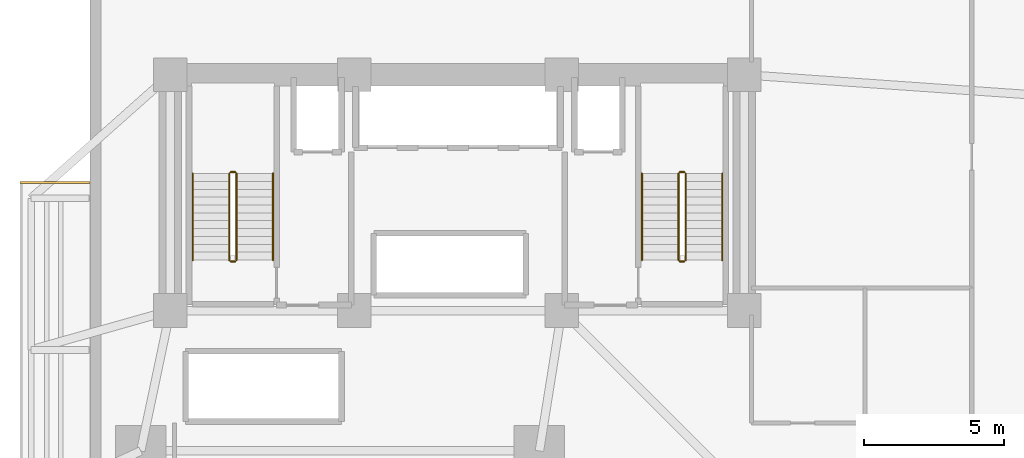
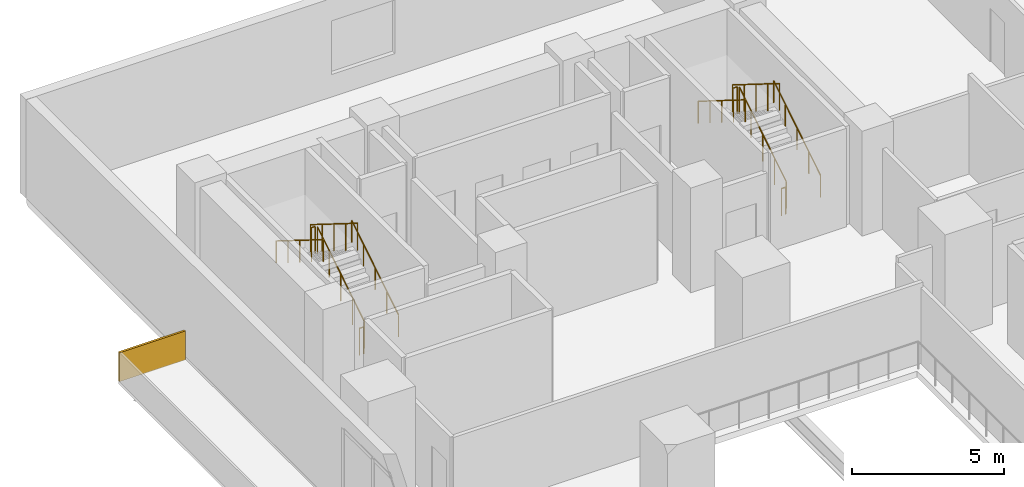
# One storey, part 12 of 13: 12 railings, 1 covering.
"""IFC4 building model written with IfcOpenShell, lengths in metres."""

from ifc_helpers import new_model, si_unit, direction, frame, origin, origin_2d, place, context, subcontext, project, spatial, rectangle, circle, extrude, material, layer, layer_set, type_object, element, save


model = new_model("IFC4")

# Units and contexts
model_context = context("Model", 3, precision=1e-05, world=origin(), true_north=direction((0.0, 1.0)))
body_context = subcontext(model_context, "Body", "Model", "MODEL_VIEW")
ifc_project = project(units=[si_unit("LENGTHUNIT", "METRE"), si_unit("AREAUNIT", "SQUARE_METRE"), si_unit("VOLUMEUNIT", "CUBIC_METRE"), si_unit("PLANEANGLEUNIT", "RADIAN"), si_unit("MASSUNIT", "GRAM", prefix="KILO")], contexts=[model_context])

# Site, building, storey
site_placement = place(None, origin())
site = spatial("IfcSite", under=ifc_project, at=site_placement, CompositionType="ELEMENT")
building_placement = place(site_placement, origin())
building = spatial("IfcBuilding", under=site, at=building_placement, Name="Kuzgunbayir Cultural Tower", CompositionType="ELEMENT")
storey_placement = place(building_placement, frame((0.0, 0.0, 4.60009765625)))
storey = spatial("IfcBuildingStorey", under=building, at=storey_placement, Name="L01", CompositionType="ELEMENT", Elevation=4.60009765625)

# Covering
ifc_material_1 = material(Name="Anatolian Cream Limestone", Category="masonry")
ifc_layer_1 = layer(ifc_material_1, 0.06005859375)
ifc_layer_set_1 = layer_set([ifc_layer_1], Name="Anatolian Cream Limestone")
covering_type = type_object("IfcCoveringType", Name="COV-CLAD-LIMESTONE-6", PredefinedType="CLADDING", material=ifc_layer_set_1)
covering_placement = place(storey_placement, frame((2.35009765625, 38.360107421875, -0.1201171875), z_axis=(0.0, 0.0, 1.0), x_axis=(1.0, 0.0, 0.0)))
element("IfcCovering", 1, at=covering_placement, inside=storey, type_object=covering_type, Name="L01 Colonnade Canopy North Coping Fascia", PredefinedType="CLADDING", context=body_context, shape_type="SweptSolid", body=[
    extrude(rectangle(XDim=2.5, YDim=0.080078125, at=origin_2d()), origin(), (0.0, 0.0, 1.0), 1.159912109375),
])

# Railings
ifc_material_2 = material(Name="Brushed Stainless Steel", Category="steel")
ifc_layer_2 = layer(ifc_material_2, 0.050048828125)
ifc_layer_set_2 = layer_set([ifc_layer_2], Name="Brushed Stainless Steel")
railing_type_1 = type_object("IfcRailingType", Name="RLG-STAIR-HANDRAIL", PredefinedType="HANDRAIL", material=ifc_layer_set_2)
railing_1_placement = place(storey_placement, frame((10.110107421875, 35.60009765625, 0.1748046875)))
element("IfcRailing", 2, at=railing_1_placement, inside=storey, type_object=railing_type_1, Name="L01 ST-1 stair handrail 1", PredefinedType="HANDRAIL", context=body_context, shape_type="SweptSolid", body=[
    extrude(circle(Radius=0.02392578125, at=origin_2d()), frame((0.0, 0.0, 0.8759765625), z_axis=(0.0, 0.847979421464, 0.530029150871), x_axis=(-1.0, 0.0, 0.0)), (0.0, 0.0, 1.0), 3.632080078125),
    extrude(circle(Radius=0.02099609375, at=origin_2d()), origin(), (0.0, 0.0, 1.0), 0.851806640625),
    extrude(circle(Radius=0.02099609375, at=origin_2d()), frame((0.0, 0.77001953125, 0.481201171875)), (0.0, 0.0, 1.0), 0.851806640625),
    extrude(circle(Radius=0.02099609375, at=origin_2d()), frame((0.0, 1.5400390625, 0.96240234375)), (0.0, 0.0, 1.0), 0.851806640625),
    extrude(circle(Radius=0.02099609375, at=origin_2d()), frame((0.0, 2.309814453125, 1.44384765625)), (0.0, 0.0, 1.0), 0.851806640625),
    extrude(circle(Radius=0.02099609375, at=origin_2d()), frame((0.0, 3.079833984375, 1.925048828125)), (0.0, 0.0, 1.0), 0.851806640625),
])
railing_2_placement = place(storey_placement, frame((7.25, 38.679931640625, 2.27490234375)))
element("IfcRailing", 3, at=railing_2_placement, inside=storey, type_object=railing_type_1, Name="L01 ST-1 stair handrail 2", PredefinedType="HANDRAIL", context=body_context, shape_type="SweptSolid", body=[
    extrude(circle(Radius=0.02392578125, at=origin_2d()), frame((0.0, 0.0, 0.8759765625), z_axis=(0.0, -0.847979421464, 0.530029150871), x_axis=(1.0, 0.0, 0.0)), (0.0, 0.0, 1.0), 3.632080078125),
    extrude(circle(Radius=0.02099609375, at=origin_2d()), origin(), (0.0, 0.0, 1.0), 0.851806640625),
    extrude(circle(Radius=0.02099609375, at=origin_2d()), frame((0.0, -0.77001953125, 0.481201171875)), (0.0, 0.0, 1.0), 0.851806640625),
    extrude(circle(Radius=0.02099609375, at=origin_2d()), frame((0.0, -1.5400390625, 0.96240234375)), (0.0, 0.0, 1.0), 0.851806640625),
    extrude(circle(Radius=0.02099609375, at=origin_2d()), frame((0.0, -2.309814453125, 1.44384765625)), (0.0, 0.0, 1.0), 0.851806640625),
    extrude(circle(Radius=0.02099609375, at=origin_2d()), frame((0.0, -3.079833984375, 1.925048828125)), (0.0, 0.0, 1.0), 0.851806640625),
])
railing_3_placement = place(storey_placement, frame((26.110107421875, 35.60009765625, 0.1748046875)))
element("IfcRailing", 4, at=railing_3_placement, inside=storey, type_object=railing_type_1, Name="L01 ST-2 stair handrail 1", PredefinedType="HANDRAIL", context=body_context, shape_type="SweptSolid", body=[
    extrude(circle(Radius=0.02392578125, at=origin_2d()), frame((0.0, 0.0, 0.8759765625), z_axis=(0.0, 0.847979421464, 0.530029150871), x_axis=(-1.0, 0.0, 0.0)), (0.0, 0.0, 1.0), 3.632080078125),
    extrude(circle(Radius=0.02099609375, at=origin_2d()), origin(), (0.0, 0.0, 1.0), 0.851806640625),
    extrude(circle(Radius=0.02099609375, at=origin_2d()), frame((0.0, 0.77001953125, 0.481201171875)), (0.0, 0.0, 1.0), 0.851806640625),
    extrude(circle(Radius=0.02099609375, at=origin_2d()), frame((0.0, 1.5400390625, 0.96240234375)), (0.0, 0.0, 1.0), 0.851806640625),
    extrude(circle(Radius=0.02099609375, at=origin_2d()), frame((0.0, 2.309814453125, 1.44384765625)), (0.0, 0.0, 1.0), 0.851806640625),
    extrude(circle(Radius=0.02099609375, at=origin_2d()), frame((0.0, 3.079833984375, 1.925048828125)), (0.0, 0.0, 1.0), 0.851806640625),
])
railing_4_placement = place(storey_placement, frame((23.25, 38.679931640625, 2.27490234375)))
element("IfcRailing", 5, at=railing_4_placement, inside=storey, type_object=railing_type_1, Name="L01 ST-2 stair handrail 2", PredefinedType="HANDRAIL", context=body_context, shape_type="SweptSolid", body=[
    extrude(circle(Radius=0.02392578125, at=origin_2d()), frame((0.0, 0.0, 0.8759765625), z_axis=(0.0, -0.847979421464, 0.530029150871), x_axis=(1.0, 0.0, 0.0)), (0.0, 0.0, 1.0), 3.632080078125),
    extrude(circle(Radius=0.02099609375, at=origin_2d()), origin(), (0.0, 0.0, 1.0), 0.851806640625),
    extrude(circle(Radius=0.02099609375, at=origin_2d()), frame((0.0, -0.77001953125, 0.481201171875)), (0.0, 0.0, 1.0), 0.851806640625),
    extrude(circle(Radius=0.02099609375, at=origin_2d()), frame((0.0, -1.5400390625, 0.96240234375)), (0.0, 0.0, 1.0), 0.851806640625),
    extrude(circle(Radius=0.02099609375, at=origin_2d()), frame((0.0, -2.309814453125, 1.44384765625)), (0.0, 0.0, 1.0), 0.851806640625),
    extrude(circle(Radius=0.02099609375, at=origin_2d()), frame((0.0, -3.079833984375, 1.925048828125)), (0.0, 0.0, 1.0), 0.851806640625),
])
ifc_material_3 = material(Name="Painted Steel Balustrade", Category="steel")
ifc_layer_3 = layer(ifc_material_3, 0.06005859375)
ifc_layer_set_3 = layer_set([ifc_layer_3], Name="Painted Steel Balustrade")
railing_type_2 = type_object("IfcRailingType", Name="RLG-WELL-GUARD", PredefinedType="GUARDRAIL", material=ifc_layer_set_3)
railing_5_placement = place(storey_placement, frame((8.81005859375, 35.60009765625, 0.1748046875)))
element("IfcRailing", 6, at=railing_5_placement, inside=storey, type_object=railing_type_2, Name="L01 ST-1 stair guard 1", PredefinedType="GUARDRAIL", context=body_context, shape_type="SweptSolid", body=[
    extrude(circle(Radius=0.02392578125, at=origin_2d()), frame((0.0, 0.0, 1.076171875), z_axis=(0.0, 0.847979421464, 0.530029150871), x_axis=(-1.0, 0.0, 0.0)), (0.0, 0.0, 1.0), 3.632080078125),
    extrude(circle(Radius=0.02099609375, at=origin_2d()), origin(), (0.0, 0.0, 1.0), 1.052001953125),
    extrude(circle(Radius=0.02099609375, at=origin_2d()), frame((0.0, 0.77001953125, 0.481201171875)), (0.0, 0.0, 1.0), 1.052001953125),
    extrude(circle(Radius=0.02099609375, at=origin_2d()), frame((0.0, 1.5400390625, 0.96240234375)), (0.0, 0.0, 1.0), 1.052001953125),
    extrude(circle(Radius=0.02099609375, at=origin_2d()), frame((0.0, 2.309814453125, 1.44384765625)), (0.0, 0.0, 1.0), 1.052001953125),
    extrude(circle(Radius=0.02099609375, at=origin_2d()), frame((0.0, 3.079833984375, 1.925048828125)), (0.0, 0.0, 1.0), 1.052001953125),
])
railing_6_placement = place(storey_placement, frame((8.760009765625, 38.72998046875, 2.099853515625)))
element("IfcRailing", 7, at=railing_6_placement, inside=storey, type_object=railing_type_2, Name="L01 ST-1 stair guard 2", PredefinedType="GUARDRAIL", context=body_context, shape_type="SweptSolid", body=[
    extrude(circle(Radius=0.02392578125, at=origin_2d()), frame((0.0, 0.0, 1.076171875), z_axis=(-1.0, 0.0, 0.0), x_axis=(0.0, -1.0, 0.0)), (0.0, 0.0, 1.0), 0.159912109375),
    extrude(circle(Radius=0.02099609375, at=origin_2d()), origin(), (0.0, 0.0, 1.0), 1.052001953125),
    extrude(circle(Radius=0.02099609375, at=origin_2d()), frame((-0.159912109375, 0.0, 0.0)), (0.0, 0.0, 1.0), 1.052001953125),
])
railing_7_placement = place(storey_placement, frame((8.550048828125, 38.679931640625, 2.27490234375)))
element("IfcRailing", 8, at=railing_7_placement, inside=storey, type_object=railing_type_2, Name="L01 ST-1 stair guard 3", PredefinedType="GUARDRAIL", context=body_context, shape_type="SweptSolid", body=[
    extrude(circle(Radius=0.02392578125, at=origin_2d()), frame((0.0, 0.0, 1.076171875), z_axis=(0.0, -0.847979421464, 0.530029150871), x_axis=(1.0, 0.0, 0.0)), (0.0, 0.0, 1.0), 3.632080078125),
    extrude(circle(Radius=0.02099609375, at=origin_2d()), origin(), (0.0, 0.0, 1.0), 1.052001953125),
    extrude(circle(Radius=0.02099609375, at=origin_2d()), frame((0.0, -0.77001953125, 0.481201171875)), (0.0, 0.0, 1.0), 1.052001953125),
    extrude(circle(Radius=0.02099609375, at=origin_2d()), frame((0.0, -1.5400390625, 0.96240234375)), (0.0, 0.0, 1.0), 1.052001953125),
    extrude(circle(Radius=0.02099609375, at=origin_2d()), frame((0.0, -2.309814453125, 1.44384765625)), (0.0, 0.0, 1.0), 1.052001953125),
    extrude(circle(Radius=0.02099609375, at=origin_2d()), frame((0.0, -3.079833984375, 1.925048828125)), (0.0, 0.0, 1.0), 1.052001953125),
])
railing_8_placement = place(storey_placement, frame((8.760009765625, 35.550048828125, 0.0)))
element("IfcRailing", 9, at=railing_8_placement, inside=storey, type_object=railing_type_2, Name="L01 ST-1 stair guard 4", PredefinedType="GUARDRAIL", context=body_context, shape_type="SweptSolid", body=[
    extrude(circle(Radius=0.02392578125, at=origin_2d()), frame((0.0, 0.0, 1.076171875), z_axis=(-1.0, 0.0, 0.0), x_axis=(0.0, -1.0, 0.0)), (0.0, 0.0, 1.0), 0.159912109375),
    extrude(circle(Radius=0.02099609375, at=origin_2d()), origin(), (0.0, 0.0, 1.0), 1.052001953125),
    extrude(circle(Radius=0.02099609375, at=origin_2d()), frame((-0.159912109375, 0.0, 0.0)), (0.0, 0.0, 1.0), 1.052001953125),
])
railing_9_placement = place(storey_placement, frame((24.81005859375, 35.60009765625, 0.1748046875)))
element("IfcRailing", 10, at=railing_9_placement, inside=storey, type_object=railing_type_2, Name="L01 ST-2 stair guard 1", PredefinedType="GUARDRAIL", context=body_context, shape_type="SweptSolid", body=[
    extrude(circle(Radius=0.02392578125, at=origin_2d()), frame((0.0, 0.0, 1.076171875), z_axis=(0.0, 0.847979421464, 0.530029150871), x_axis=(-1.0, 0.0, 0.0)), (0.0, 0.0, 1.0), 3.632080078125),
    extrude(circle(Radius=0.02099609375, at=origin_2d()), origin(), (0.0, 0.0, 1.0), 1.052001953125),
    extrude(circle(Radius=0.02099609375, at=origin_2d()), frame((0.0, 0.77001953125, 0.481201171875)), (0.0, 0.0, 1.0), 1.052001953125),
    extrude(circle(Radius=0.02099609375, at=origin_2d()), frame((0.0, 1.5400390625, 0.96240234375)), (0.0, 0.0, 1.0), 1.052001953125),
    extrude(circle(Radius=0.02099609375, at=origin_2d()), frame((0.0, 2.309814453125, 1.44384765625)), (0.0, 0.0, 1.0), 1.052001953125),
    extrude(circle(Radius=0.02099609375, at=origin_2d()), frame((0.0, 3.079833984375, 1.925048828125)), (0.0, 0.0, 1.0), 1.052001953125),
])
railing_10_placement = place(storey_placement, frame((24.760009765625, 38.72998046875, 2.099853515625)))
element("IfcRailing", 11, at=railing_10_placement, inside=storey, type_object=railing_type_2, Name="L01 ST-2 stair guard 2", PredefinedType="GUARDRAIL", context=body_context, shape_type="SweptSolid", body=[
    extrude(circle(Radius=0.02392578125, at=origin_2d()), frame((0.0, 0.0, 1.076171875), z_axis=(-1.0, 0.0, 0.0), x_axis=(0.0, -1.0, 0.0)), (0.0, 0.0, 1.0), 0.159912109375),
    extrude(circle(Radius=0.02099609375, at=origin_2d()), origin(), (0.0, 0.0, 1.0), 1.052001953125),
    extrude(circle(Radius=0.02099609375, at=origin_2d()), frame((-0.159912109375, 0.0, 0.0)), (0.0, 0.0, 1.0), 1.052001953125),
])
railing_11_placement = place(storey_placement, frame((24.550048828125, 38.679931640625, 2.27490234375)))
element("IfcRailing", 12, at=railing_11_placement, inside=storey, type_object=railing_type_2, Name="L01 ST-2 stair guard 3", PredefinedType="GUARDRAIL", context=body_context, shape_type="SweptSolid", body=[
    extrude(circle(Radius=0.02392578125, at=origin_2d()), frame((0.0, 0.0, 1.076171875), z_axis=(0.0, -0.847979421464, 0.530029150871), x_axis=(1.0, 0.0, 0.0)), (0.0, 0.0, 1.0), 3.632080078125),
    extrude(circle(Radius=0.02099609375, at=origin_2d()), origin(), (0.0, 0.0, 1.0), 1.052001953125),
    extrude(circle(Radius=0.02099609375, at=origin_2d()), frame((0.0, -0.77001953125, 0.481201171875)), (0.0, 0.0, 1.0), 1.052001953125),
    extrude(circle(Radius=0.02099609375, at=origin_2d()), frame((0.0, -1.5400390625, 0.96240234375)), (0.0, 0.0, 1.0), 1.052001953125),
    extrude(circle(Radius=0.02099609375, at=origin_2d()), frame((0.0, -2.309814453125, 1.44384765625)), (0.0, 0.0, 1.0), 1.052001953125),
    extrude(circle(Radius=0.02099609375, at=origin_2d()), frame((0.0, -3.079833984375, 1.925048828125)), (0.0, 0.0, 1.0), 1.052001953125),
])
railing_12_placement = place(storey_placement, frame((24.760009765625, 35.550048828125, 0.0)))
element("IfcRailing", 13, at=railing_12_placement, inside=storey, type_object=railing_type_2, Name="L01 ST-2 stair guard 4", PredefinedType="GUARDRAIL", context=body_context, shape_type="SweptSolid", body=[
    extrude(circle(Radius=0.02392578125, at=origin_2d()), frame((0.0, 0.0, 1.076171875), z_axis=(-1.0, 0.0, 0.0), x_axis=(0.0, -1.0, 0.0)), (0.0, 0.0, 1.0), 0.159912109375),
    extrude(circle(Radius=0.02099609375, at=origin_2d()), origin(), (0.0, 0.0, 1.0), 1.052001953125),
    extrude(circle(Radius=0.02099609375, at=origin_2d()), frame((-0.159912109375, 0.0, 0.0)), (0.0, 0.0, 1.0), 1.052001953125),
])

save(model, "model.ifc")
